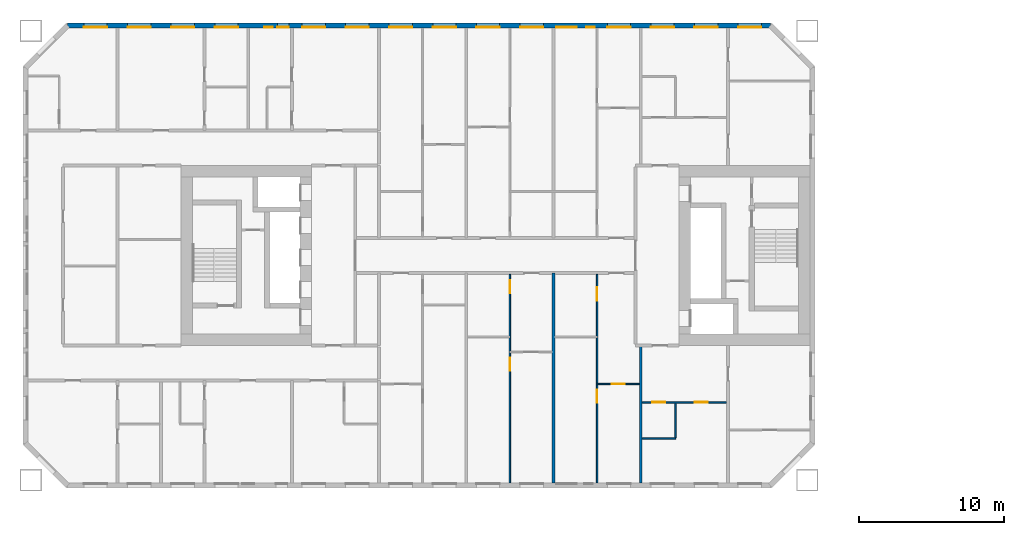
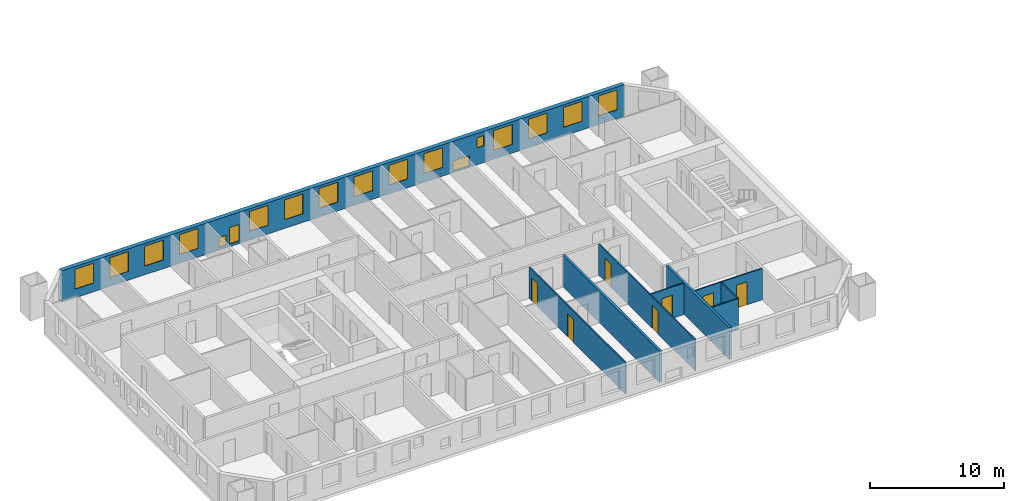
# One storey, part 6 of 17: 18 windows, 9 walls, 7 doors, 25 openings.
"""IFC4 building model written with IfcOpenShell, lengths in metres."""

from ifc_helpers import new_model, si_unit, direction, frame, frame_2d, origin, place, context, subcontext, project, spatial, rectangle, extrude, material, layer, layer_set, type_object, element, fill, save


model = new_model("IFC4")

# Units and contexts
model_context = context("Model", 3, precision=1e-05, world=origin(), true_north=direction((0.0, 1.0)))
body_context = subcontext(model_context, "Body", "Model", "MODEL_VIEW")
ifc_project = project(units=[si_unit("LENGTHUNIT", "METRE"), si_unit("AREAUNIT", "SQUARE_METRE"), si_unit("VOLUMEUNIT", "CUBIC_METRE"), si_unit("PLANEANGLEUNIT", "RADIAN"), si_unit("MASSUNIT", "GRAM", prefix="KILO")], contexts=[model_context])

# Site, building, storey
site_placement = place(None, origin())
site = spatial("IfcSite", under=ifc_project, at=site_placement, CompositionType="ELEMENT")
building_placement = place(site_placement, origin())
building = spatial("IfcBuilding", under=site, at=building_placement, Name="Tuart Gate Housing", CompositionType="ELEMENT")
storey_placement = place(building_placement, frame((0.0, 0.0, 53.60009765625)))
storey = spatial("IfcBuildingStorey", under=building, at=storey_placement, Name="L14", CompositionType="ELEMENT", Elevation=53.60009765625)

# Wall, openings, windows
ifc_material_1 = material(Name="Brick", Category="masonry")
ifc_layer_1 = layer(ifc_material_1, 0.360107421875)
ifc_layer_set_1 = layer_set([ifc_layer_1], Name="Brick pier and spandrel wall 360")
wall_type_1 = type_object("IfcWallType", Name="Brick pier and spandrel wall 360", PredefinedType="STANDARD", material=ifc_layer_set_1)
wall_1_placement = place(storey_placement, frame((72.92529296875, 85.820068359375, 0.0), z_axis=(0.0, 0.0, 1.0), x_axis=(-1.0, 0.0, 0.0)))
wall_1 = element("IfcWall", 1, at=wall_1_placement, inside=storey, type_object=wall_type_1, Name="External wall A-N L14", PredefinedType="STANDARD", context=body_context, shape_type="SweptSolid", body=[
    extrude(rectangle(XDim=48.350830078125, YDim=0.360107421875, at=frame_2d((24.17529296875, 0.0))), origin(), (0.0, 0.0, 1.0), 2.849853515625),
])
opening_1_placement = place(wall_1_placement, frame((0.62548828125, 0.0, 0.800048828125)))
opening_1 = element("IfcOpeningElement", 2, at=opening_1_placement, cuts=wall_1, Name="Opening W1", PredefinedType="OPENING", context=body_context, shape_type="SweptSolid", body=[
    extrude(rectangle(XDim=1.60009765625, YDim=1.800048828125, at=frame_2d((0.800048828125, 0.89990234375))), frame((0.0, 0.18994140625, 0.0), z_axis=(0.0, -1.0, 0.0), x_axis=(1.0, 0.0, 0.0)), (0.0, 0.0, 1.0), 0.380126953125),
])
opening_2_placement = place(wall_1_placement, frame((3.62548828125, 0.0, 0.800048828125)))
opening_2 = element("IfcOpeningElement", 3, at=opening_2_placement, cuts=wall_1, Name="Opening W1", PredefinedType="OPENING", context=body_context, shape_type="SweptSolid", body=[
    extrude(rectangle(XDim=1.60009765625, YDim=1.800048828125, at=frame_2d((0.800048828125, 0.89990234375))), frame((0.0, 0.18994140625, 0.0), z_axis=(0.0, -1.0, 0.0), x_axis=(1.0, 0.0, 0.0)), (0.0, 0.0, 1.0), 0.380126953125),
])
opening_3_placement = place(wall_1_placement, frame((6.62548828125, 0.0, 0.800048828125)))
opening_3 = element("IfcOpeningElement", 4, at=opening_3_placement, cuts=wall_1, Name="Opening W1", PredefinedType="OPENING", context=body_context, shape_type="SweptSolid", body=[
    extrude(rectangle(XDim=1.60009765625, YDim=1.800048828125, at=frame_2d((0.800048828125, 0.89990234375))), frame((0.0, 0.18994140625, 0.0), z_axis=(0.0, -1.0, 0.0), x_axis=(1.0, 0.0, 0.0)), (0.0, 0.0, 1.0), 0.380126953125),
])
opening_4_placement = place(wall_1_placement, frame((9.62548828125, 0.0, 0.800048828125)))
opening_4 = element("IfcOpeningElement", 5, at=opening_4_placement, cuts=wall_1, Name="Opening W1", PredefinedType="OPENING", context=body_context, shape_type="SweptSolid", body=[
    extrude(rectangle(XDim=1.60009765625, YDim=1.800048828125, at=frame_2d((0.800048828125, 0.89990234375))), frame((0.0, 0.18994140625, 0.0), z_axis=(0.0, -1.0, 0.0), x_axis=(1.0, 0.0, 0.0)), (0.0, 0.0, 1.0), 0.380126953125),
])
opening_5_placement = place(wall_1_placement, frame((12.075439453125, 0.0, 1.550048828125)))
opening_5 = element("IfcOpeningElement", 6, at=opening_5_placement, cuts=wall_1, Name="Opening W1W", PredefinedType="OPENING", context=body_context, shape_type="SweptSolid", body=[
    extrude(rectangle(XDim=0.60009765625, YDim=0.89990234375, at=frame_2d((0.300048828125, 0.449951171875))), frame((0.0, 0.18994140625, 0.0), z_axis=(0.0, -1.0, 0.0), x_axis=(1.0, 0.0, 0.0)), (0.0, 0.0, 1.0), 0.380126953125),
])
opening_6_placement = place(wall_1_placement, frame((15.62548828125, 0.0, 0.800048828125)))
opening_6 = element("IfcOpeningElement", 7, at=opening_6_placement, cuts=wall_1, Name="Opening W1", PredefinedType="OPENING", context=body_context, shape_type="SweptSolid", body=[
    extrude(rectangle(XDim=1.60009765625, YDim=1.800048828125, at=frame_2d((0.800048828125, 0.89990234375))), frame((0.0, 0.18994140625, 0.0), z_axis=(0.0, -1.0, 0.0), x_axis=(1.0, 0.0, 0.0)), (0.0, 0.0, 1.0), 0.380126953125),
])
opening_7_placement = place(wall_1_placement, frame((18.62548828125, 0.0, 0.800048828125)))
opening_7 = element("IfcOpeningElement", 8, at=opening_7_placement, cuts=wall_1, Name="Opening W1", PredefinedType="OPENING", context=body_context, shape_type="SweptSolid", body=[
    extrude(rectangle(XDim=1.60009765625, YDim=1.800048828125, at=frame_2d((0.800048828125, 0.89990234375))), frame((0.0, 0.18994140625, 0.0), z_axis=(0.0, -1.0, 0.0), x_axis=(1.0, 0.0, 0.0)), (0.0, 0.0, 1.0), 0.380126953125),
])
opening_8_placement = place(wall_1_placement, frame((21.62548828125, 0.0, 0.800048828125)))
opening_8 = element("IfcOpeningElement", 9, at=opening_8_placement, cuts=wall_1, Name="Opening W1", PredefinedType="OPENING", context=body_context, shape_type="SweptSolid", body=[
    extrude(rectangle(XDim=1.60009765625, YDim=1.800048828125, at=frame_2d((0.800048828125, 0.89990234375))), frame((0.0, 0.18994140625, 0.0), z_axis=(0.0, -1.0, 0.0), x_axis=(1.0, 0.0, 0.0)), (0.0, 0.0, 1.0), 0.380126953125),
])
opening_9_placement = place(wall_1_placement, frame((24.62548828125, 0.0, 0.800048828125)))
opening_9 = element("IfcOpeningElement", 10, at=opening_9_placement, cuts=wall_1, Name="Opening W1", PredefinedType="OPENING", context=body_context, shape_type="SweptSolid", body=[
    extrude(rectangle(XDim=1.60009765625, YDim=1.800048828125, at=frame_2d((0.800048828125, 0.89990234375))), frame((0.0, 0.18994140625, 0.0), z_axis=(0.0, -1.0, 0.0), x_axis=(1.0, 0.0, 0.0)), (0.0, 0.0, 1.0), 0.380126953125),
])
opening_10_placement = place(wall_1_placement, frame((27.62548828125, 0.0, 0.800048828125)))
opening_10 = element("IfcOpeningElement", 11, at=opening_10_placement, cuts=wall_1, Name="Opening W1", PredefinedType="OPENING", context=body_context, shape_type="SweptSolid", body=[
    extrude(rectangle(XDim=1.60009765625, YDim=1.800048828125, at=frame_2d((0.800048828125, 0.89990234375))), frame((0.0, 0.18994140625, 0.0), z_axis=(0.0, -1.0, 0.0), x_axis=(1.0, 0.0, 0.0)), (0.0, 0.0, 1.0), 0.380126953125),
])
opening_11_placement = place(wall_1_placement, frame((30.62548828125, 0.0, 0.800048828125)))
opening_11 = element("IfcOpeningElement", 12, at=opening_11_placement, cuts=wall_1, Name="Opening W1", PredefinedType="OPENING", context=body_context, shape_type="SweptSolid", body=[
    extrude(rectangle(XDim=1.60009765625, YDim=1.800048828125, at=frame_2d((0.800048828125, 0.89990234375))), frame((0.0, 0.18994140625, 0.0), z_axis=(0.0, -1.0, 0.0), x_axis=(1.0, 0.0, 0.0)), (0.0, 0.0, 1.0), 0.380126953125),
])
opening_12_placement = place(wall_1_placement, frame((33.12548828125, 0.0, 0.25)))
opening_12 = element("IfcOpeningElement", 13, at=opening_12_placement, cuts=wall_1, Name="Opening W1J", PredefinedType="OPENING", context=body_context, shape_type="SweptSolid", body=[
    extrude(rectangle(XDim=0.800048828125, YDim=1.5, at=frame_2d((0.39990234375, 0.75))), frame((0.0, 0.18994140625, 0.0), z_axis=(0.0, -1.0, 0.0), x_axis=(1.0, 0.0, 0.0)), (0.0, 0.0, 1.0), 0.380126953125),
])
opening_13_placement = place(wall_1_placement, frame((36.62548828125, 0.0, 0.800048828125)))
opening_13 = element("IfcOpeningElement", 14, at=opening_13_placement, cuts=wall_1, Name="Opening W1", PredefinedType="OPENING", context=body_context, shape_type="SweptSolid", body=[
    extrude(rectangle(XDim=1.60009765625, YDim=1.800048828125, at=frame_2d((0.800048828125, 0.89990234375))), frame((0.0, 0.18994140625, 0.0), z_axis=(0.0, -1.0, 0.0), x_axis=(1.0, 0.0, 0.0)), (0.0, 0.0, 1.0), 0.380126953125),
])
opening_14_placement = place(wall_1_placement, frame((39.62548828125, 0.0, 0.800048828125)))
opening_14 = element("IfcOpeningElement", 15, at=opening_14_placement, cuts=wall_1, Name="Opening W1", PredefinedType="OPENING", context=body_context, shape_type="SweptSolid", body=[
    extrude(rectangle(XDim=1.60009765625, YDim=1.800048828125, at=frame_2d((0.800048828125, 0.89990234375))), frame((0.0, 0.18994140625, 0.0), z_axis=(0.0, -1.0, 0.0), x_axis=(1.0, 0.0, 0.0)), (0.0, 0.0, 1.0), 0.380126953125),
])
opening_15_placement = place(wall_1_placement, frame((42.62548828125, 0.0, 0.800048828125)))
opening_15 = element("IfcOpeningElement", 16, at=opening_15_placement, cuts=wall_1, Name="Opening W1", PredefinedType="OPENING", context=body_context, shape_type="SweptSolid", body=[
    extrude(rectangle(XDim=1.60009765625, YDim=1.800048828125, at=frame_2d((0.800048828125, 0.89990234375))), frame((0.0, 0.18994140625, 0.0), z_axis=(0.0, -1.0, 0.0), x_axis=(1.0, 0.0, 0.0)), (0.0, 0.0, 1.0), 0.380126953125),
])
opening_16_placement = place(wall_1_placement, frame((45.62548828125, 0.0, 0.800048828125)))
opening_16 = element("IfcOpeningElement", 17, at=opening_16_placement, cuts=wall_1, Name="Opening W1", PredefinedType="OPENING", context=body_context, shape_type="SweptSolid", body=[
    extrude(rectangle(XDim=1.60009765625, YDim=1.800048828125, at=frame_2d((0.800048828125, 0.89990234375))), frame((0.0, 0.18994140625, 0.0), z_axis=(0.0, -1.0, 0.0), x_axis=(1.0, 0.0, 0.0)), (0.0, 0.0, 1.0), 0.380126953125),
])
opening_17_placement = place(wall_1_placement, frame((13.325439453125, 0.0, 0.14990234375)))
opening_17 = element("IfcOpeningElement", 18, at=opening_17_placement, cuts=wall_1, Name="Opening W1S", PredefinedType="OPENING", context=body_context, shape_type="SweptSolid", body=[
    extrude(rectangle(XDim=1.39990234375, YDim=0.89990234375, at=frame_2d((0.699951171875, 0.449951171875))), frame((0.0, 0.18994140625, 0.0), z_axis=(0.0, -1.0, 0.0), x_axis=(1.0, 0.0, 0.0)), (0.0, 0.0, 1.0), 0.380126953125),
])
opening_18_placement = place(wall_1_placement, frame((34.225341796875, 0.0, 0.25)))
opening_18 = element("IfcOpeningElement", 19, at=opening_18_placement, cuts=wall_1, Name="Opening W1W", PredefinedType="OPENING", context=body_context, shape_type="SweptSolid", body=[
    extrude(rectangle(XDim=0.60009765625, YDim=0.89990234375, at=frame_2d((0.300048828125, 0.449951171875))), frame((0.0, 0.18994140625, 0.0), z_axis=(0.0, -1.0, 0.0), x_axis=(1.0, 0.0, 0.0)), (0.0, 0.0, 1.0), 0.380126953125),
])
ifc_material_2 = material(Name="Aluminium frame with clear glass", Category="aluminium")
window_type_1 = type_object("IfcWindowType", Name="Punched window 1400 x 900", PartitioningType="SINGLE_PANEL", PredefinedType="WINDOW", material=ifc_material_2)
window_1_placement = place(opening_17_placement, origin())
window_1 = element("IfcWindow", 20, at=window_1_placement, inside=storey, type_object=window_type_1, Name="Window W1S", OverallHeight=0.89990234375, OverallWidth=1.39990234375, PartitioningType="SINGLE_PANEL", PredefinedType="WINDOW", context=body_context, shape_type="SweptSolid", body=[
    extrude(rectangle(XDim=1.39990234375, YDim=0.89990234375, at=frame_2d((0.699951171875, 0.449951171875))), frame((0.0, 0.150146484375, 0.0), z_axis=(0.0, -1.0, 0.0), x_axis=(1.0, 0.0, 0.0)), (0.0, 0.0, 1.0), 0.06005859375),
])
fill(opening_17, window_1)
ifc_material_3 = material(Name="Aluminium frame with clear glass", Category="aluminium")
window_type_2 = type_object("IfcWindowType", Name="Punched window 1600 x 1800", PartitioningType="SINGLE_PANEL", PredefinedType="WINDOW", material=ifc_material_3)
window_2_placement = place(opening_1_placement, origin())
window_2 = element("IfcWindow", 21, at=window_2_placement, inside=storey, type_object=window_type_2, Name="Window W1", OverallHeight=1.800048828125, OverallWidth=1.60009765625, PartitioningType="SINGLE_PANEL", PredefinedType="WINDOW", context=body_context, shape_type="SweptSolid", body=[
    extrude(rectangle(XDim=1.60009765625, YDim=1.800048828125, at=frame_2d((0.800048828125, 0.89990234375))), frame((0.0, 0.150146484375, 0.0), z_axis=(0.0, -1.0, 0.0), x_axis=(1.0, 0.0, 0.0)), (0.0, 0.0, 1.0), 0.06005859375),
])
fill(opening_1, window_2)
window_3_placement = place(opening_2_placement, origin())
window_3 = element("IfcWindow", 22, at=window_3_placement, inside=storey, type_object=window_type_2, Name="Window W1", OverallHeight=1.800048828125, OverallWidth=1.60009765625, PartitioningType="SINGLE_PANEL", PredefinedType="WINDOW", context=body_context, shape_type="SweptSolid", body=[
    extrude(rectangle(XDim=1.60009765625, YDim=1.800048828125, at=frame_2d((0.800048828125, 0.89990234375))), frame((0.0, 0.150146484375, 0.0), z_axis=(0.0, -1.0, 0.0), x_axis=(1.0, 0.0, 0.0)), (0.0, 0.0, 1.0), 0.06005859375),
])
fill(opening_2, window_3)
window_4_placement = place(opening_3_placement, origin())
window_4 = element("IfcWindow", 23, at=window_4_placement, inside=storey, type_object=window_type_2, Name="Window W1", OverallHeight=1.800048828125, OverallWidth=1.60009765625, PartitioningType="SINGLE_PANEL", PredefinedType="WINDOW", context=body_context, shape_type="SweptSolid", body=[
    extrude(rectangle(XDim=1.60009765625, YDim=1.800048828125, at=frame_2d((0.800048828125, 0.89990234375))), frame((0.0, 0.150146484375, 0.0), z_axis=(0.0, -1.0, 0.0), x_axis=(1.0, 0.0, 0.0)), (0.0, 0.0, 1.0), 0.06005859375),
])
fill(opening_3, window_4)
window_5_placement = place(opening_4_placement, origin())
window_5 = element("IfcWindow", 24, at=window_5_placement, inside=storey, type_object=window_type_2, Name="Window W1", OverallHeight=1.800048828125, OverallWidth=1.60009765625, PartitioningType="SINGLE_PANEL", PredefinedType="WINDOW", context=body_context, shape_type="SweptSolid", body=[
    extrude(rectangle(XDim=1.60009765625, YDim=1.800048828125, at=frame_2d((0.800048828125, 0.89990234375))), frame((0.0, 0.150146484375, 0.0), z_axis=(0.0, -1.0, 0.0), x_axis=(1.0, 0.0, 0.0)), (0.0, 0.0, 1.0), 0.06005859375),
])
fill(opening_4, window_5)
window_6_placement = place(opening_6_placement, origin())
window_6 = element("IfcWindow", 25, at=window_6_placement, inside=storey, type_object=window_type_2, Name="Window W1", OverallHeight=1.800048828125, OverallWidth=1.60009765625, PartitioningType="SINGLE_PANEL", PredefinedType="WINDOW", context=body_context, shape_type="SweptSolid", body=[
    extrude(rectangle(XDim=1.60009765625, YDim=1.800048828125, at=frame_2d((0.800048828125, 0.89990234375))), frame((0.0, 0.150146484375, 0.0), z_axis=(0.0, -1.0, 0.0), x_axis=(1.0, 0.0, 0.0)), (0.0, 0.0, 1.0), 0.06005859375),
])
fill(opening_6, window_6)
window_7_placement = place(opening_7_placement, origin())
window_7 = element("IfcWindow", 26, at=window_7_placement, inside=storey, type_object=window_type_2, Name="Window W1", OverallHeight=1.800048828125, OverallWidth=1.60009765625, PartitioningType="SINGLE_PANEL", PredefinedType="WINDOW", context=body_context, shape_type="SweptSolid", body=[
    extrude(rectangle(XDim=1.60009765625, YDim=1.800048828125, at=frame_2d((0.800048828125, 0.89990234375))), frame((0.0, 0.150146484375, 0.0), z_axis=(0.0, -1.0, 0.0), x_axis=(1.0, 0.0, 0.0)), (0.0, 0.0, 1.0), 0.06005859375),
])
fill(opening_7, window_7)
window_8_placement = place(opening_8_placement, origin())
window_8 = element("IfcWindow", 27, at=window_8_placement, inside=storey, type_object=window_type_2, Name="Window W1", OverallHeight=1.800048828125, OverallWidth=1.60009765625, PartitioningType="SINGLE_PANEL", PredefinedType="WINDOW", context=body_context, shape_type="SweptSolid", body=[
    extrude(rectangle(XDim=1.60009765625, YDim=1.800048828125, at=frame_2d((0.800048828125, 0.89990234375))), frame((0.0, 0.150146484375, 0.0), z_axis=(0.0, -1.0, 0.0), x_axis=(1.0, 0.0, 0.0)), (0.0, 0.0, 1.0), 0.06005859375),
])
fill(opening_8, window_8)
window_9_placement = place(opening_9_placement, origin())
window_9 = element("IfcWindow", 28, at=window_9_placement, inside=storey, type_object=window_type_2, Name="Window W1", OverallHeight=1.800048828125, OverallWidth=1.60009765625, PartitioningType="SINGLE_PANEL", PredefinedType="WINDOW", context=body_context, shape_type="SweptSolid", body=[
    extrude(rectangle(XDim=1.60009765625, YDim=1.800048828125, at=frame_2d((0.800048828125, 0.89990234375))), frame((0.0, 0.150146484375, 0.0), z_axis=(0.0, -1.0, 0.0), x_axis=(1.0, 0.0, 0.0)), (0.0, 0.0, 1.0), 0.06005859375),
])
fill(opening_9, window_9)
window_10_placement = place(opening_10_placement, origin())
window_10 = element("IfcWindow", 29, at=window_10_placement, inside=storey, type_object=window_type_2, Name="Window W1", OverallHeight=1.800048828125, OverallWidth=1.60009765625, PartitioningType="SINGLE_PANEL", PredefinedType="WINDOW", context=body_context, shape_type="SweptSolid", body=[
    extrude(rectangle(XDim=1.60009765625, YDim=1.800048828125, at=frame_2d((0.800048828125, 0.89990234375))), frame((0.0, 0.150146484375, 0.0), z_axis=(0.0, -1.0, 0.0), x_axis=(1.0, 0.0, 0.0)), (0.0, 0.0, 1.0), 0.06005859375),
])
fill(opening_10, window_10)
window_11_placement = place(opening_11_placement, origin())
window_11 = element("IfcWindow", 30, at=window_11_placement, inside=storey, type_object=window_type_2, Name="Window W1", OverallHeight=1.800048828125, OverallWidth=1.60009765625, PartitioningType="SINGLE_PANEL", PredefinedType="WINDOW", context=body_context, shape_type="SweptSolid", body=[
    extrude(rectangle(XDim=1.60009765625, YDim=1.800048828125, at=frame_2d((0.800048828125, 0.89990234375))), frame((0.0, 0.150146484375, 0.0), z_axis=(0.0, -1.0, 0.0), x_axis=(1.0, 0.0, 0.0)), (0.0, 0.0, 1.0), 0.06005859375),
])
fill(opening_11, window_11)
window_12_placement = place(opening_13_placement, origin())
window_12 = element("IfcWindow", 31, at=window_12_placement, inside=storey, type_object=window_type_2, Name="Window W1", OverallHeight=1.800048828125, OverallWidth=1.60009765625, PartitioningType="SINGLE_PANEL", PredefinedType="WINDOW", context=body_context, shape_type="SweptSolid", body=[
    extrude(rectangle(XDim=1.60009765625, YDim=1.800048828125, at=frame_2d((0.800048828125, 0.89990234375))), frame((0.0, 0.150146484375, 0.0), z_axis=(0.0, -1.0, 0.0), x_axis=(1.0, 0.0, 0.0)), (0.0, 0.0, 1.0), 0.06005859375),
])
fill(opening_13, window_12)
window_13_placement = place(opening_14_placement, origin())
window_13 = element("IfcWindow", 32, at=window_13_placement, inside=storey, type_object=window_type_2, Name="Window W1", OverallHeight=1.800048828125, OverallWidth=1.60009765625, PartitioningType="SINGLE_PANEL", PredefinedType="WINDOW", context=body_context, shape_type="SweptSolid", body=[
    extrude(rectangle(XDim=1.60009765625, YDim=1.800048828125, at=frame_2d((0.800048828125, 0.89990234375))), frame((0.0, 0.150146484375, 0.0), z_axis=(0.0, -1.0, 0.0), x_axis=(1.0, 0.0, 0.0)), (0.0, 0.0, 1.0), 0.06005859375),
])
fill(opening_14, window_13)
window_14_placement = place(opening_15_placement, origin())
window_14 = element("IfcWindow", 33, at=window_14_placement, inside=storey, type_object=window_type_2, Name="Window W1", OverallHeight=1.800048828125, OverallWidth=1.60009765625, PartitioningType="SINGLE_PANEL", PredefinedType="WINDOW", context=body_context, shape_type="SweptSolid", body=[
    extrude(rectangle(XDim=1.60009765625, YDim=1.800048828125, at=frame_2d((0.800048828125, 0.89990234375))), frame((0.0, 0.150146484375, 0.0), z_axis=(0.0, -1.0, 0.0), x_axis=(1.0, 0.0, 0.0)), (0.0, 0.0, 1.0), 0.06005859375),
])
fill(opening_15, window_14)
window_15_placement = place(opening_16_placement, origin())
window_15 = element("IfcWindow", 34, at=window_15_placement, inside=storey, type_object=window_type_2, Name="Window W1", OverallHeight=1.800048828125, OverallWidth=1.60009765625, PartitioningType="SINGLE_PANEL", PredefinedType="WINDOW", context=body_context, shape_type="SweptSolid", body=[
    extrude(rectangle(XDim=1.60009765625, YDim=1.800048828125, at=frame_2d((0.800048828125, 0.89990234375))), frame((0.0, 0.150146484375, 0.0), z_axis=(0.0, -1.0, 0.0), x_axis=(1.0, 0.0, 0.0)), (0.0, 0.0, 1.0), 0.06005859375),
])
fill(opening_16, window_15)
ifc_material_4 = material(Name="Aluminium frame with clear glass", Category="aluminium")
window_type_3 = type_object("IfcWindowType", Name="Punched window 600 x 900", PartitioningType="SINGLE_PANEL", PredefinedType="WINDOW", material=ifc_material_4)
window_16_placement = place(opening_5_placement, origin())
window_16 = element("IfcWindow", 35, at=window_16_placement, inside=storey, type_object=window_type_3, Name="Window W1W", OverallHeight=0.89990234375, OverallWidth=0.60009765625, PartitioningType="SINGLE_PANEL", PredefinedType="WINDOW", context=body_context, shape_type="SweptSolid", body=[
    extrude(rectangle(XDim=0.60009765625, YDim=0.89990234375, at=frame_2d((0.300048828125, 0.449951171875))), frame((0.0, 0.150146484375, 0.0), z_axis=(0.0, -1.0, 0.0), x_axis=(1.0, 0.0, 0.0)), (0.0, 0.0, 1.0), 0.06005859375),
])
fill(opening_5, window_16)
window_17_placement = place(opening_18_placement, origin())
window_17 = element("IfcWindow", 36, at=window_17_placement, inside=storey, type_object=window_type_3, Name="Window W1W", OverallHeight=0.89990234375, OverallWidth=0.60009765625, PartitioningType="SINGLE_PANEL", PredefinedType="WINDOW", context=body_context, shape_type="SweptSolid", body=[
    extrude(rectangle(XDim=0.60009765625, YDim=0.89990234375, at=frame_2d((0.300048828125, 0.449951171875))), frame((0.0, 0.150146484375, 0.0), z_axis=(0.0, -1.0, 0.0), x_axis=(1.0, 0.0, 0.0)), (0.0, 0.0, 1.0), 0.06005859375),
])
fill(opening_18, window_17)
ifc_material_5 = material(Name="Aluminium frame with clear glass", Category="aluminium")
window_type_4 = type_object("IfcWindowType", Name="Punched window 800 x 1500", PartitioningType="SINGLE_PANEL", PredefinedType="WINDOW", material=ifc_material_5)
window_18_placement = place(opening_12_placement, origin())
window_18 = element("IfcWindow", 37, at=window_18_placement, inside=storey, type_object=window_type_4, Name="Window W1J", OverallHeight=1.5, OverallWidth=0.800048828125, PartitioningType="SINGLE_PANEL", PredefinedType="WINDOW", context=body_context, shape_type="SweptSolid", body=[
    extrude(rectangle(XDim=0.800048828125, YDim=1.5, at=frame_2d((0.39990234375, 0.75))), frame((0.0, 0.150146484375, 0.0), z_axis=(0.0, -1.0, 0.0), x_axis=(1.0, 0.0, 0.0)), (0.0, 0.0, 1.0), 0.06005859375),
])
fill(opening_12, window_18)

# Wall
ifc_material_6 = material(Name="Gypsum board on steel studs", Category="steel")
ifc_layer_2 = layer(ifc_material_6, 0.10009765625)
ifc_layer_set_2 = layer_set([ifc_layer_2], Name="Partition 100")
wall_type_2 = type_object("IfcWallType", Name="Partition 100", PredefinedType="PARTITIONING", material=ifc_layer_set_2)
wall_2_placement = place(storey_placement, frame((64.10009765625, 57.39990234375, 0.0), z_axis=(0.0, 0.0, 1.0), x_axis=(1.0, 0.0, 0.0)))
element("IfcWall", 38, at=wall_2_placement, inside=storey, type_object=wall_type_2, Name="Partition 100", PredefinedType="PARTITIONING", context=body_context, shape_type="SweptSolid", body=[
    extrude(rectangle(XDim=2.2998046875, YDim=0.10009765625, at=frame_2d((1.14990234375, 0.0))), origin(), (0.0, 0.0, 1.0), 2.849853515625),
])

# Wall, openings, doors
wall_3_placement = place(storey_placement, frame((64.10009765625, 59.89990234375, 0.0), z_axis=(0.0, 0.0, 1.0), x_axis=(1.0, 0.0, 0.0)))
wall_3 = element("IfcWall", 39, at=wall_3_placement, inside=storey, type_object=wall_type_2, Name="Partition 100", PredefinedType="PARTITIONING", context=body_context, shape_type="SweptSolid", body=[
    extrude(rectangle(XDim=5.7998046875, YDim=0.10009765625, at=frame_2d((2.89990234375, 0.0))), origin(), (0.0, 0.0, 1.0), 2.849853515625),
])
opening_19_placement = place(wall_3_placement, frame((3.60009765625, 0.0, 0.0)))
opening_19 = element("IfcOpeningElement", 40, at=opening_19_placement, cuts=wall_3, Name="Opening D770", PredefinedType="OPENING", context=body_context, shape_type="SweptSolid", body=[
    extrude(rectangle(XDim=0.89990234375, YDim=2.10009765625, at=frame_2d((0.449951171875, 1.050048828125))), frame((0.0, 0.06005859375, 0.0), z_axis=(0.0, -1.0, 0.0), x_axis=(1.0, 0.0, 0.0)), (0.0, 0.0, 1.0), 0.1201171875),
])
opening_20_placement = place(wall_3_placement, frame((0.699951171875, 0.0, 0.0)))
opening_20 = element("IfcOpeningElement", 41, at=opening_20_placement, cuts=wall_3, Name="Opening D769", PredefinedType="OPENING", context=body_context, shape_type="SweptSolid", body=[
    extrude(rectangle(XDim=0.89990234375, YDim=2.10009765625, at=frame_2d((0.449951171875, 1.050048828125))), frame((0.0, 0.06005859375, 0.0), z_axis=(0.0, -1.0, 0.0), x_axis=(1.0, 0.0, 0.0)), (0.0, 0.0, 1.0), 0.1201171875),
])
ifc_material_7 = material(Name="Timber door leaf in steel frame", Category="steel")
door_type_1 = type_object("IfcDoorType", Name="Bathroom door 900", OperationType="SINGLE_SWING_LEFT", PredefinedType="DOOR", material=ifc_material_7)
door_1_placement = place(opening_20_placement, frame((0.89990234375, 0.0, 0.0), z_axis=(0.0, 0.0, 1.0), x_axis=(-1.0, 0.0, 0.0)))
door_1 = element("IfcDoor", 42, at=door_1_placement, inside=storey, type_object=door_type_1, Name="Bathroom door", OperationType="SINGLE_SWING_LEFT", OverallHeight=2.10009765625, OverallWidth=0.89990234375, PredefinedType="DOOR", context=body_context, shape_type="SweptSolid", body=[
    extrude(rectangle(XDim=0.89990234375, YDim=2.10009765625, at=frame_2d((0.449951171875, 1.050048828125))), frame((0.0, 0.025146484375, 0.0), z_axis=(0.0, -1.0, 0.0), x_axis=(1.0, 0.0, 0.0)), (0.0, 0.0, 1.0), 0.050048828125),
])
fill(opening_20, door_1)
ifc_material_8 = material(Name="Timber door leaf in steel frame", Category="steel")
door_type_2 = type_object("IfcDoorType", Name="Internal door 900 RH", OperationType="SINGLE_SWING_RIGHT", PredefinedType="DOOR", material=ifc_material_8)
door_2_placement = place(opening_19_placement, frame((0.89990234375, 0.0, 0.0), z_axis=(0.0, 0.0, 1.0), x_axis=(-1.0, 0.0, 0.0)))
door_2 = element("IfcDoor", 43, at=door_2_placement, inside=storey, type_object=door_type_2, Name="Internal door", OperationType="SINGLE_SWING_RIGHT", OverallHeight=2.10009765625, OverallWidth=0.89990234375, PredefinedType="DOOR", context=body_context, shape_type="SweptSolid", body=[
    extrude(rectangle(XDim=0.89990234375, YDim=2.10009765625, at=frame_2d((0.449951171875, 1.050048828125))), frame((0.0, 0.025146484375, 0.0), z_axis=(0.0, -1.0, 0.0), x_axis=(1.0, 0.0, 0.0)), (0.0, 0.0, 1.0), 0.050048828125),
])
fill(opening_19, door_2)

# Wall, opening, door
wall_4_placement = place(storey_placement, frame((61.0, 61.159912109375, 0.0), z_axis=(0.0, 0.0, 1.0), x_axis=(1.0, 0.0, 0.0)))
wall_4 = element("IfcWall", 44, at=wall_4_placement, inside=storey, type_object=wall_type_2, Name="Partition 100", PredefinedType="PARTITIONING", context=body_context, shape_type="SweptSolid", body=[
    extrude(rectangle(XDim=2.89990234375, YDim=0.10009765625, at=frame_2d((1.449951171875, 0.0))), origin(), (0.0, 0.0, 1.0), 2.849853515625),
])
opening_21_placement = place(wall_4_placement, frame((1.0, 0.0, 0.0)))
opening_21 = element("IfcOpeningElement", 45, at=opening_21_placement, cuts=wall_4, Name="Opening D768", PredefinedType="OPENING", context=body_context, shape_type="SweptSolid", body=[
    extrude(rectangle(XDim=0.89990234375, YDim=2.10009765625, at=frame_2d((0.449951171875, 1.050048828125))), frame((0.0, 0.06005859375, 0.0), z_axis=(0.0, -1.0, 0.0), x_axis=(1.0, 0.0, 0.0)), (0.0, 0.0, 1.0), 0.1201171875),
])
ifc_material_9 = material(Name="Timber door leaf in steel frame", Category="steel")
door_type_3 = type_object("IfcDoorType", Name="Internal door 900", OperationType="SINGLE_SWING_LEFT", PredefinedType="DOOR", material=ifc_material_9)
door_3_placement = place(opening_21_placement, origin())
door_3 = element("IfcDoor", 46, at=door_3_placement, inside=storey, type_object=door_type_3, Name="Internal door", OperationType="SINGLE_SWING_LEFT", OverallHeight=2.10009765625, OverallWidth=0.89990234375, PredefinedType="DOOR", context=body_context, shape_type="SweptSolid", body=[
    extrude(rectangle(XDim=0.89990234375, YDim=2.10009765625, at=frame_2d((0.449951171875, 1.050048828125))), frame((0.0, 0.02490234375, 0.0), z_axis=(0.0, -1.0, 0.0), x_axis=(1.0, 0.0, 0.0)), (0.0, 0.0, 1.0), 0.050048828125),
])
fill(opening_21, door_3)

# Wall, openings, doors
wall_5_placement = place(storey_placement, frame((55.0, 54.360107421875, 0.0), z_axis=(0.0, 0.0, 1.0), x_axis=(0.0, 1.0, 0.0)))
wall_5 = element("IfcWall", 47, at=wall_5_placement, inside=storey, type_object=wall_type_2, Name="Partition 100", PredefinedType="PARTITIONING", context=body_context, shape_type="SweptSolid", body=[
    extrude(rectangle(XDim=14.33984375, YDim=0.10009765625, at=frame_2d((7.169921875, 0.0))), origin(), (0.0, 0.0, 1.0), 2.849853515625),
])
opening_22_placement = place(wall_5_placement, frame((7.699951171875, 0.0, 0.0)))
opening_22 = element("IfcOpeningElement", 48, at=opening_22_placement, cuts=wall_5, Name="Opening D761", PredefinedType="OPENING", context=body_context, shape_type="SweptSolid", body=[
    extrude(rectangle(XDim=0.89990234375, YDim=2.10009765625, at=frame_2d((0.449951171875, 1.050048828125))), frame((0.0, 0.06005859375, 0.0), z_axis=(0.0, -1.0, 0.0), x_axis=(1.0, 0.0, 0.0)), (0.0, 0.0, 1.0), 0.1201171875),
])
opening_23_placement = place(wall_5_placement, frame((13.0400390625, 0.0, 0.0)))
opening_23 = element("IfcOpeningElement", 49, at=opening_23_placement, cuts=wall_5, Name="Opening D760", PredefinedType="OPENING", context=body_context, shape_type="SweptSolid", body=[
    extrude(rectangle(XDim=0.89990234375, YDim=2.10009765625, at=frame_2d((0.449951171875, 1.050048828125))), frame((0.0, 0.06005859375, 0.0), z_axis=(0.0, -1.0, 0.0), x_axis=(1.0, 0.0, 0.0)), (0.0, 0.0, 1.0), 0.1201171875),
])
ifc_material_10 = material(Name="Timber door leaf in steel frame", Category="steel")
door_type_4 = type_object("IfcDoorType", Name="Bathroom door 900 RH", OperationType="SINGLE_SWING_RIGHT", PredefinedType="DOOR", material=ifc_material_10)
door_4_placement = place(opening_23_placement, origin())
door_4 = element("IfcDoor", 50, at=door_4_placement, inside=storey, type_object=door_type_4, Name="Bathroom door", OperationType="SINGLE_SWING_RIGHT", OverallHeight=2.10009765625, OverallWidth=0.89990234375, PredefinedType="DOOR", context=body_context, shape_type="SweptSolid", body=[
    extrude(rectangle(XDim=0.89990234375, YDim=2.10009765625, at=frame_2d((0.449951171875, 1.050048828125))), frame((0.0, 0.02490234375, 0.0), z_axis=(0.0, -1.0, 0.0), x_axis=(1.0, 0.0, 0.0)), (0.0, 0.0, 1.0), 0.050048828125),
])
fill(opening_23, door_4)
door_5_placement = place(opening_22_placement, origin())
door_5 = element("IfcDoor", 51, at=door_5_placement, inside=storey, type_object=door_type_2, Name="Internal door", OperationType="SINGLE_SWING_RIGHT", OverallHeight=2.10009765625, OverallWidth=0.89990234375, PredefinedType="DOOR", context=body_context, shape_type="SweptSolid", body=[
    extrude(rectangle(XDim=0.89990234375, YDim=2.10009765625, at=frame_2d((0.449951171875, 1.050048828125))), frame((0.0, 0.02490234375, 0.0), z_axis=(0.0, -1.0, 0.0), x_axis=(1.0, 0.0, 0.0)), (0.0, 0.0, 1.0), 0.050048828125),
])
fill(opening_22, door_5)

wall_6_placement = place(storey_placement, frame((61.0, 54.360107421875, 0.0), z_axis=(0.0, 0.0, 1.0), x_axis=(0.0, 1.0, 0.0)))
wall_6 = element("IfcWall", 52, at=wall_6_placement, inside=storey, type_object=wall_type_2, Name="Partition 100", PredefinedType="PARTITIONING", context=body_context, shape_type="SweptSolid", body=[
    extrude(rectangle(XDim=14.33984375, YDim=0.10009765625, at=frame_2d((7.169921875, 0.0))), origin(), (0.0, 0.0, 1.0), 2.849853515625),
])
opening_24_placement = place(wall_6_placement, frame((5.5, 0.0, 0.0)))
opening_24 = element("IfcOpeningElement", 53, at=opening_24_placement, cuts=wall_6, Name="Opening D763", PredefinedType="OPENING", context=body_context, shape_type="SweptSolid", body=[
    extrude(rectangle(XDim=0.89990234375, YDim=2.10009765625, at=frame_2d((0.449951171875, 1.050048828125))), frame((0.0, 0.06005859375, 0.0), z_axis=(0.0, -1.0, 0.0), x_axis=(1.0, 0.0, 0.0)), (0.0, 0.0, 1.0), 0.1201171875),
])
opening_25_placement = place(wall_6_placement, frame((12.5400390625, 0.0, 0.0)))
opening_25 = element("IfcOpeningElement", 54, at=opening_25_placement, cuts=wall_6, Name="Opening D762", PredefinedType="OPENING", context=body_context, shape_type="SweptSolid", body=[
    extrude(rectangle(XDim=0.89990234375, YDim=2.10009765625, at=frame_2d((0.449951171875, 1.050048828125))), frame((0.0, 0.06005859375, 0.0), z_axis=(0.0, -1.0, 0.0), x_axis=(1.0, 0.0, 0.0)), (0.0, 0.0, 1.0), 0.1201171875),
])
door_6_placement = place(opening_25_placement, origin())
door_6 = element("IfcDoor", 55, at=door_6_placement, inside=storey, type_object=door_type_4, Name="Bathroom door", OperationType="SINGLE_SWING_RIGHT", OverallHeight=2.10009765625, OverallWidth=0.89990234375, PredefinedType="DOOR", context=body_context, shape_type="SweptSolid", body=[
    extrude(rectangle(XDim=0.89990234375, YDim=2.10009765625, at=frame_2d((0.449951171875, 1.050048828125))), frame((0.0, 0.02490234375, 0.0), z_axis=(0.0, -1.0, 0.0), x_axis=(1.0, 0.0, 0.0)), (0.0, 0.0, 1.0), 0.050048828125),
])
fill(opening_25, door_6)
door_7_placement = place(opening_24_placement, origin())
door_7 = element("IfcDoor", 56, at=door_7_placement, inside=storey, type_object=door_type_2, Name="Internal door", OperationType="SINGLE_SWING_RIGHT", OverallHeight=2.10009765625, OverallWidth=0.89990234375, PredefinedType="DOOR", context=body_context, shape_type="SweptSolid", body=[
    extrude(rectangle(XDim=0.89990234375, YDim=2.10009765625, at=frame_2d((0.449951171875, 1.050048828125))), frame((0.0, 0.02490234375, 0.0), z_axis=(0.0, -1.0, 0.0), x_axis=(1.0, 0.0, 0.0)), (0.0, 0.0, 1.0), 0.050048828125),
])
fill(opening_24, door_7)

# Walls
wall_7_placement = place(storey_placement, frame((66.39990234375, 57.449951171875, 0.0), z_axis=(0.0, 0.0, 1.0), x_axis=(0.0, 1.0, 0.0)))
element("IfcWall", 57, at=wall_7_placement, inside=storey, type_object=wall_type_2, Name="Partition 100", PredefinedType="PARTITIONING", context=body_context, shape_type="SweptSolid", body=[
    extrude(rectangle(XDim=2.400146484375, YDim=0.10009765625, at=frame_2d((1.2001953125, 0.0))), origin(), (0.0, 0.0, 1.0), 2.849853515625),
])
ifc_material_11 = material(Name="Concrete C40", Category="concrete")
ifc_layer_3 = layer(ifc_material_11, 0.199951171875)
ifc_layer_set_3 = layer_set([ifc_layer_3], Name="Party wall concrete C40 200")
wall_type_3 = type_object("IfcWallType", Name="Party wall concrete C40 200", PredefinedType="SOLIDWALL", material=ifc_layer_set_3)
wall_8_placement = place(storey_placement, frame((58.0, 54.360107421875, 0.0), z_axis=(0.0, 0.0, 1.0), x_axis=(0.0, 1.0, 0.0)))
element("IfcWall", 58, at=wall_8_placement, inside=storey, type_object=wall_type_3, Name="Party wall concrete C40 200", PredefinedType="SOLIDWALL", context=body_context, shape_type="SweptSolid", body=[
    extrude(rectangle(XDim=14.43994140625, YDim=0.199951171875, at=frame_2d((7.219970703125, 0.0))), origin(), (0.0, 0.0, 1.0), 2.849853515625),
])
wall_9_placement = place(storey_placement, frame((64.0, 54.360107421875, 0.0), z_axis=(0.0, 0.0, 1.0), x_axis=(0.0, 1.0, 0.0)))
element("IfcWall", 59, at=wall_9_placement, inside=storey, type_object=wall_type_3, Name="Party wall concrete C40 200", PredefinedType="SOLIDWALL", context=body_context, shape_type="SweptSolid", body=[
    extrude(rectangle(XDim=9.43994140625, YDim=0.199951171875, at=frame_2d((4.719970703125, 0.0))), origin(), (0.0, 0.0, 1.0), 2.849853515625),
])

save(model, "model.ifc")
